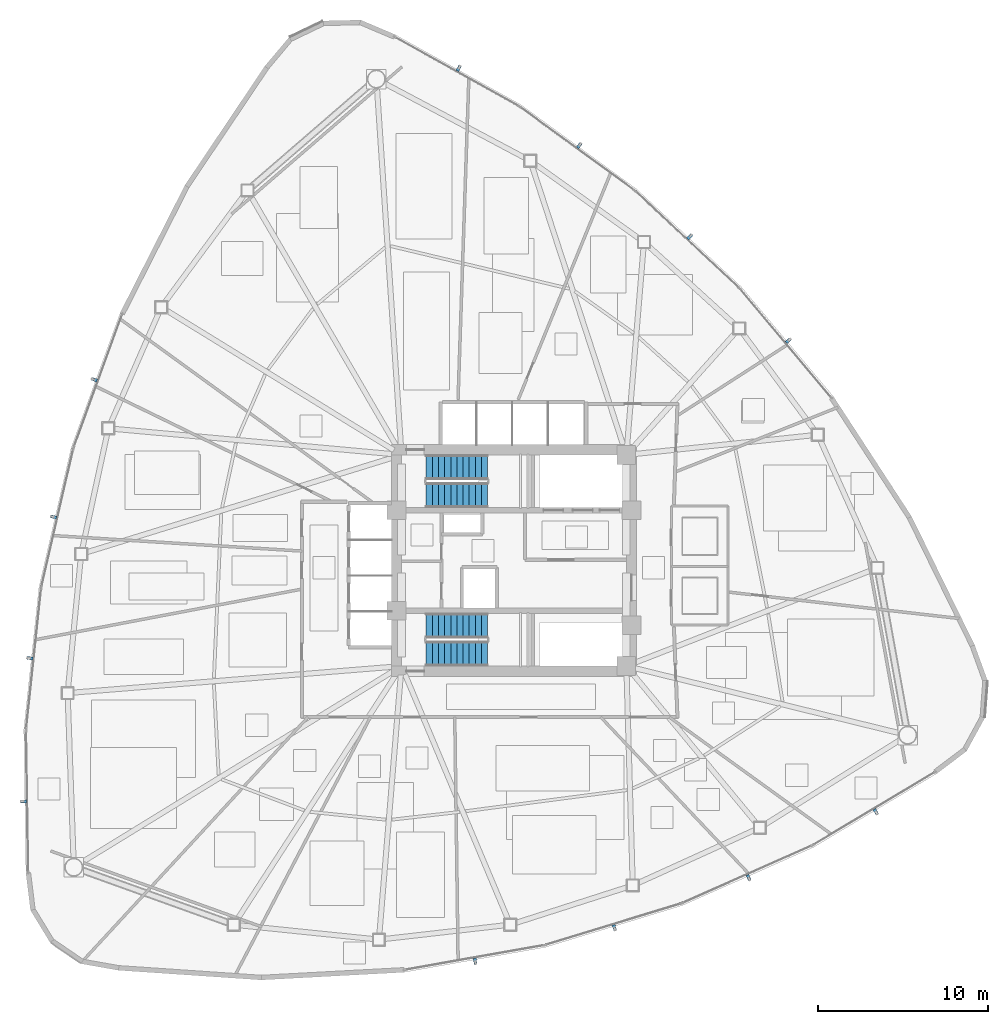
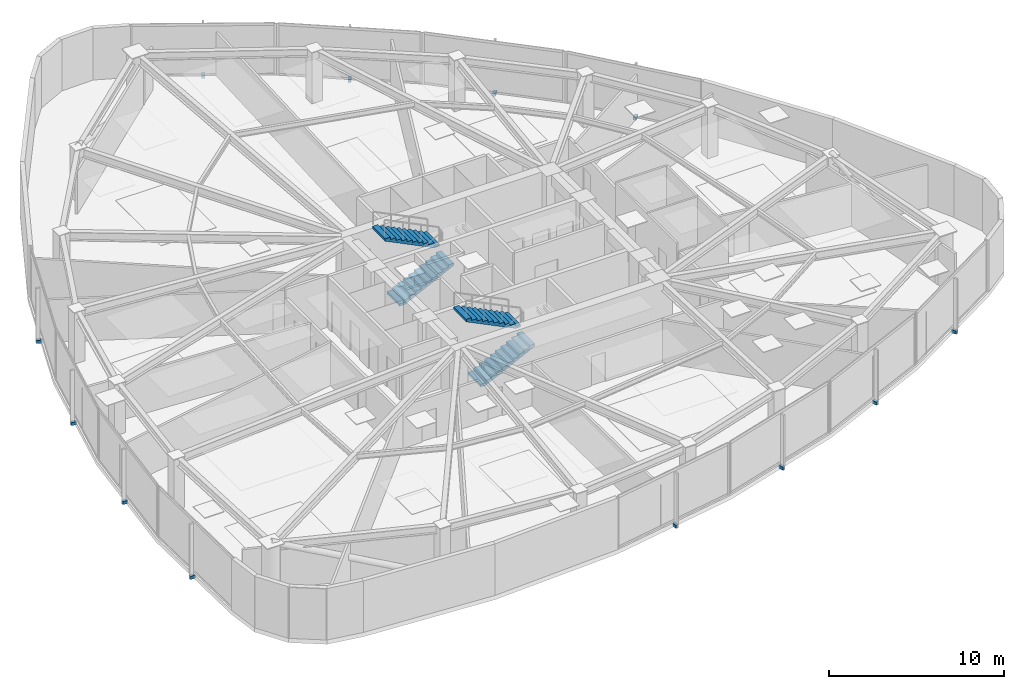
# One storey, part 13 of 17: 12 discrete accessories, 4 stair flights, 2 elements without a shape of their own.
"""IFC4 building model written with IfcOpenShell, lengths in metres."""

from ifc_helpers import new_model, si_unit, direction, frame, origin, origin_2d, place, context, subcontext, project, spatial, polyline, rectangle, outline, extrude, source, transform, mapped, material, type_object, type_shapes, element, aggregate, save


model = new_model("IFC4")

# Units and contexts
model_context = context("Model", 3, precision=1e-05, world=origin(), true_north=direction((0.0, 1.0)))
body_context = subcontext(model_context, "Body", "Model", "MODEL_VIEW")
ifc_project = project(units=[si_unit("LENGTHUNIT", "METRE"), si_unit("AREAUNIT", "SQUARE_METRE"), si_unit("VOLUMEUNIT", "CUBIC_METRE"), si_unit("PLANEANGLEUNIT", "RADIAN"), si_unit("MASSUNIT", "GRAM", prefix="KILO")], contexts=[model_context])

# Site, building, storey
site_placement = place(None, origin())
site = spatial("IfcSite", under=ifc_project, at=site_placement, CompositionType="ELEMENT")
building_placement = place(site_placement, origin())
building = spatial("IfcBuilding", under=site, at=building_placement, Name="Tavelor Broadcast Tower", CompositionType="ELEMENT")
storey_placement = place(building_placement, frame((0.0, 0.0, 82.199951171875)))
storey = spatial("IfcBuildingStorey", under=building, at=storey_placement, Name="L19", CompositionType="ELEMENT", Elevation=82.199951171875)

# Stair, stair flights
ifc_material_1 = material(Name="Concrete C40/50", Category="concrete")
stair_type = type_object("IfcStairType", Name="Reinforced Concrete Protected Dogleg Stair 1450 mm", PredefinedType="HALF_TURN_STAIR", material=ifc_material_1)
stair_1_placement = place(storey_placement, origin())
stair_1 = element("IfcStair", 1, at=stair_1_placement, inside=storey, type_object=stair_type, Name="L19 Protected Core Exit Stair ST1", PredefinedType="HALF_TURN_STAIR")
stair_flight_type = type_object("IfcStairFlightType", Name="Reinforced Concrete Stair Flight 1450 mm", PredefinedType="STRAIGHT", material=ifc_material_1)
stair_flight_1_placement = place(storey_placement, frame((44.85009765625, 48.824951171875, 0.0), z_axis=(0.0, 0.0, 1.0), x_axis=(1.0, 0.0, 0.0)))
stair_flight_1 = element("IfcStairFlight", 2, at=stair_flight_1_placement, type_object=stair_flight_type, Name="ST1 flight 1", NumberOfRisers=11, NumberOfTreads=10, PredefinedType="STRAIGHT", RiserHeight=0.177272727, TreadLength=0.36, context=body_context, shape_type="SweptSolid", body=[
    extrude(outline(polyline([(0.0, 0.0), (0.0, 0.17724609375), (0.360107421875, 0.17724609375), (0.360107421875, 0.3544921875), (0.719970703125, 0.3544921875), (0.719970703125, 0.53173828125), (1.080078125, 0.53173828125), (1.080078125, 0.708984375), (1.43994140625, 0.708984375), (1.43994140625, 0.886474609375), (1.800048828125, 0.886474609375), (1.800048828125, 1.063720703125), (2.159912109375, 1.063720703125), (2.159912109375, 1.240966796875), (2.52001953125, 1.240966796875), (2.52001953125, 1.418212890625), (2.8798828125, 1.418212890625), (2.8798828125, 1.595458984375), (3.239990234375, 1.595458984375), (3.239990234375, 1.772705078125), (3.60009765625, 1.772705078125), (3.60009765625, 1.949951171875), (3.60009765625, 1.605712890625), (0.33935546875, 0.0), (0.0, 0.0)])), frame((0.0, 0.72509765625, 0.0), z_axis=(0.0, -1.0, 0.0), x_axis=(1.0, 0.0, 0.0)), (0.0, 0.0, 1.0), 1.449951171875),
])
stair_flight_2_placement = place(storey_placement, frame((48.449951171875, 50.47509765625, 1.949951171875), z_axis=(0.0, 0.0, 1.0), x_axis=(-1.0, 0.0, 0.0)))
stair_flight_2 = element("IfcStairFlight", 3, at=stair_flight_2_placement, type_object=stair_flight_type, Name="ST1 flight 2", NumberOfRisers=11, NumberOfTreads=10, PredefinedType="STRAIGHT", RiserHeight=0.177272727, TreadLength=0.36, context=body_context, shape_type="SweptSolid", body=[
    extrude(outline(polyline([(0.0, 0.0), (0.0, 0.17724609375), (0.360107421875, 0.17724609375), (0.360107421875, 0.3544921875), (0.719970703125, 0.3544921875), (0.719970703125, 0.53173828125), (1.080078125, 0.53173828125), (1.080078125, 0.708984375), (1.43994140625, 0.708984375), (1.43994140625, 0.886474609375), (1.800048828125, 0.886474609375), (1.800048828125, 1.063720703125), (2.159912109375, 1.063720703125), (2.159912109375, 1.240966796875), (2.52001953125, 1.240966796875), (2.52001953125, 1.418212890625), (2.8798828125, 1.418212890625), (2.8798828125, 1.595458984375), (3.239990234375, 1.595458984375), (3.239990234375, 1.772705078125), (3.60009765625, 1.772705078125), (3.60009765625, 1.949951171875), (3.60009765625, 1.605712890625), (0.33935546875, 0.0), (0.0, 0.0)])), frame((0.0, 0.72509765625, 0.0), z_axis=(0.0, -1.0, 0.0), x_axis=(1.0, 0.0, 0.0)), (0.0, 0.0, 1.0), 1.449951171875),
])
aggregate(stair_1, [stair_flight_1, stair_flight_2])

stair_2_placement = place(storey_placement, origin())
stair_2 = element("IfcStair", 4, at=stair_2_placement, inside=storey, type_object=stair_type, Name="L19 Protected Core Exit Stair ST2", PredefinedType="HALF_TURN_STAIR")
stair_flight_3_placement = place(storey_placement, frame((44.85009765625, 39.52490234375, 0.0), z_axis=(0.0, 0.0, 1.0), x_axis=(1.0, 0.0, 0.0)))
stair_flight_3 = element("IfcStairFlight", 5, at=stair_flight_3_placement, type_object=stair_flight_type, Name="ST2 flight 1", NumberOfRisers=11, NumberOfTreads=10, PredefinedType="STRAIGHT", RiserHeight=0.177272727, TreadLength=0.36, context=body_context, shape_type="SweptSolid", body=[
    extrude(outline(polyline([(0.0, 0.0), (0.0, 0.17724609375), (0.360107421875, 0.17724609375), (0.360107421875, 0.3544921875), (0.719970703125, 0.3544921875), (0.719970703125, 0.53173828125), (1.080078125, 0.53173828125), (1.080078125, 0.708984375), (1.43994140625, 0.708984375), (1.43994140625, 0.886474609375), (1.800048828125, 0.886474609375), (1.800048828125, 1.063720703125), (2.159912109375, 1.063720703125), (2.159912109375, 1.240966796875), (2.52001953125, 1.240966796875), (2.52001953125, 1.418212890625), (2.8798828125, 1.418212890625), (2.8798828125, 1.595458984375), (3.239990234375, 1.595458984375), (3.239990234375, 1.772705078125), (3.60009765625, 1.772705078125), (3.60009765625, 1.949951171875), (3.60009765625, 1.605712890625), (0.33935546875, 0.0), (0.0, 0.0)])), frame((0.0, 0.72509765625, 0.0), z_axis=(0.0, -1.0, 0.0), x_axis=(1.0, 0.0, 0.0)), (0.0, 0.0, 1.0), 1.449951171875),
])
stair_flight_4_placement = place(storey_placement, frame((48.449951171875, 41.175048828125, 1.949951171875), z_axis=(0.0, 0.0, 1.0), x_axis=(-1.0, 0.0, 0.0)))
stair_flight_4 = element("IfcStairFlight", 6, at=stair_flight_4_placement, type_object=stair_flight_type, Name="ST2 flight 2", NumberOfRisers=11, NumberOfTreads=10, PredefinedType="STRAIGHT", RiserHeight=0.177272727, TreadLength=0.36, context=body_context, shape_type="SweptSolid", body=[
    extrude(outline(polyline([(0.0, 0.0), (0.0, 0.17724609375), (0.360107421875, 0.17724609375), (0.360107421875, 0.3544921875), (0.719970703125, 0.3544921875), (0.719970703125, 0.53173828125), (1.080078125, 0.53173828125), (1.080078125, 0.708984375), (1.43994140625, 0.708984375), (1.43994140625, 0.886474609375), (1.800048828125, 0.886474609375), (1.800048828125, 1.063720703125), (2.159912109375, 1.063720703125), (2.159912109375, 1.240966796875), (2.52001953125, 1.240966796875), (2.52001953125, 1.418212890625), (2.8798828125, 1.418212890625), (2.8798828125, 1.595458984375), (3.239990234375, 1.595458984375), (3.239990234375, 1.772705078125), (3.60009765625, 1.772705078125), (3.60009765625, 1.949951171875), (3.60009765625, 1.605712890625), (0.33935546875, 0.0), (0.0, 0.0)])), frame((0.0, 0.72509765625, 0.0), z_axis=(0.0, -1.0, 0.0), x_axis=(1.0, 0.0, 0.0)), (0.0, 0.0, 1.0), 1.449951171875),
])
aggregate(stair_2, [stair_flight_3, stair_flight_4])

# Discrete accessories
ifc_material_2 = material(Name="Steel S355", Category="steel")
discrete_accessory_type = type_object("IfcDiscreteAccessoryType", Name="Stainless Baguette Outrigger Support Bracket 260x180", PredefinedType="BRACKET", material=ifc_material_2)
shared_shape = source(origin(), body_context, "Body", "SweptSolid", [
    extrude(rectangle(XDim=0.179931640625, YDim=0.340087890625, at=origin_2d()), origin(), (0.0, 0.0, 1.0), 0.216064453125),
])
type_shapes(discrete_accessory_type, [shared_shape])
for number, where, z_axis, x_axis, name in (
    (7, (25.365234375, 55.615966796875, -0.2578125), (0.0, 0.0, 1.0), (-0.341692107891, -0.939811951086, 0.0), "L19 Baguette Outrigger Bracket 181"),
    (8, (22.976806640625, 47.55322265625, -0.2578125), (0.0, 0.0, 1.0), (-0.225291159947, -0.974291482694, 0.0), "L19 Baguette Outrigger Bracket 182"),
    (9, (21.581787109375, 39.2607421875, -0.2578125), (0.0, 0.0, 1.0), (-0.105743422663, -0.994393447567, 0.0), "L19 Baguette Outrigger Bracket 183"),
    (10, (21.200439453125, 30.860107421875, -0.2578125), (0.0, 0.0, 1.0), (0.015358293575, -0.999882054454, 0.0), "L19 Baguette Outrigger Bracket 184"),
    (11, (47.723876953125, 21.475341796875, -0.2578125), (0.0, 0.0, 1.0), (0.984747078367, 0.173991929836, 0.0), "L19 Baguette Outrigger Bracket 185"),
    (12, (55.900390625, 23.4384765625, -0.2578125), (0.0, 0.0, 1.0), (0.956406754677, 0.292037873584, 0.0), "L19 Baguette Outrigger Bracket 186"),
    (13, (63.779541015625, 26.37646484375, -0.2578125), (0.0, 0.0, 1.0), (0.914041698281, 0.405620233474, 0.0), "L19 Baguette Outrigger Bracket 187"),
    (14, (71.2451171875, 30.24658203125, -0.2578125), (0.0, 0.0, 1.0), (0.858244113158, 0.513241699622, 0.0), "L19 Baguette Outrigger Bracket 188"),
    (15, (66.111083984375, 57.90869140625, -0.2578125), (0.0, 0.0, 1.0), (-0.643188621489, 0.765707775321, 0.0), "L19 Baguette Outrigger Bracket 189"),
    (16, (60.322509765625, 64.008544921875, -0.2578125), (0.0, 0.0, 1.0), (-0.730996507877, 0.682381202461, 0.0), "L19 Baguette Outrigger Bracket 190"),
    (17, (53.838623046875, 69.36279296875, -0.2578125), (0.0, 0.0, 1.0), (-0.808298275618, 0.588773214093, 0.0), "L19 Baguette Outrigger Bracket 191"),
    (18, (46.75439453125, 73.893310546875, -0.2578125), (0.0, 0.0, 1.0), (-0.873602406733, 0.486640354832, 0.0), "L19 Baguette Outrigger Bracket 192"),
):
    element("IfcDiscreteAccessory", number, at=place(storey_placement, frame(where, z_axis=z_axis, x_axis=x_axis)), inside=storey, type_object=discrete_accessory_type, Name=name, PredefinedType="BRACKET", context=body_context, shape_type="MappedRepresentation", body=[
        mapped(shared_shape, transform((0.0, 0.0, 0.0), scale=1.0)),
    ])

save(model, "model.ifc")
